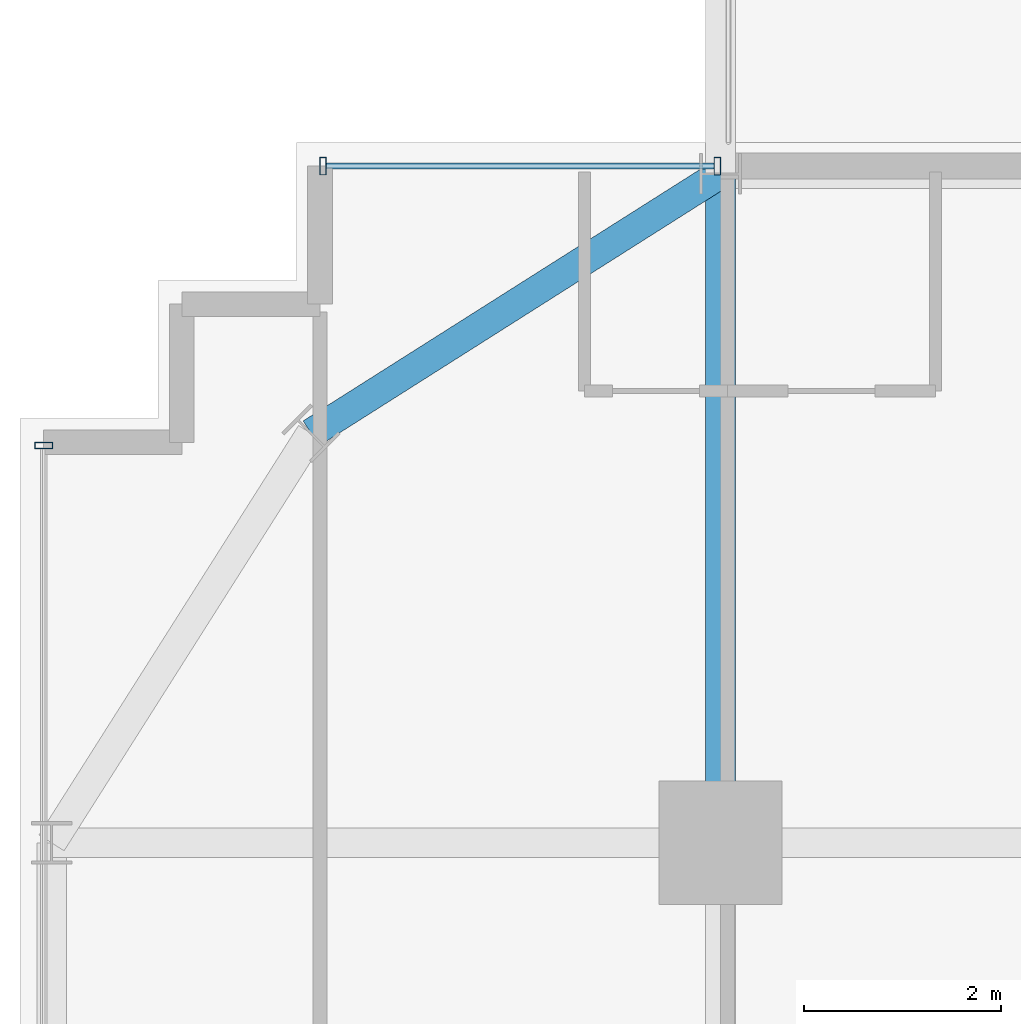
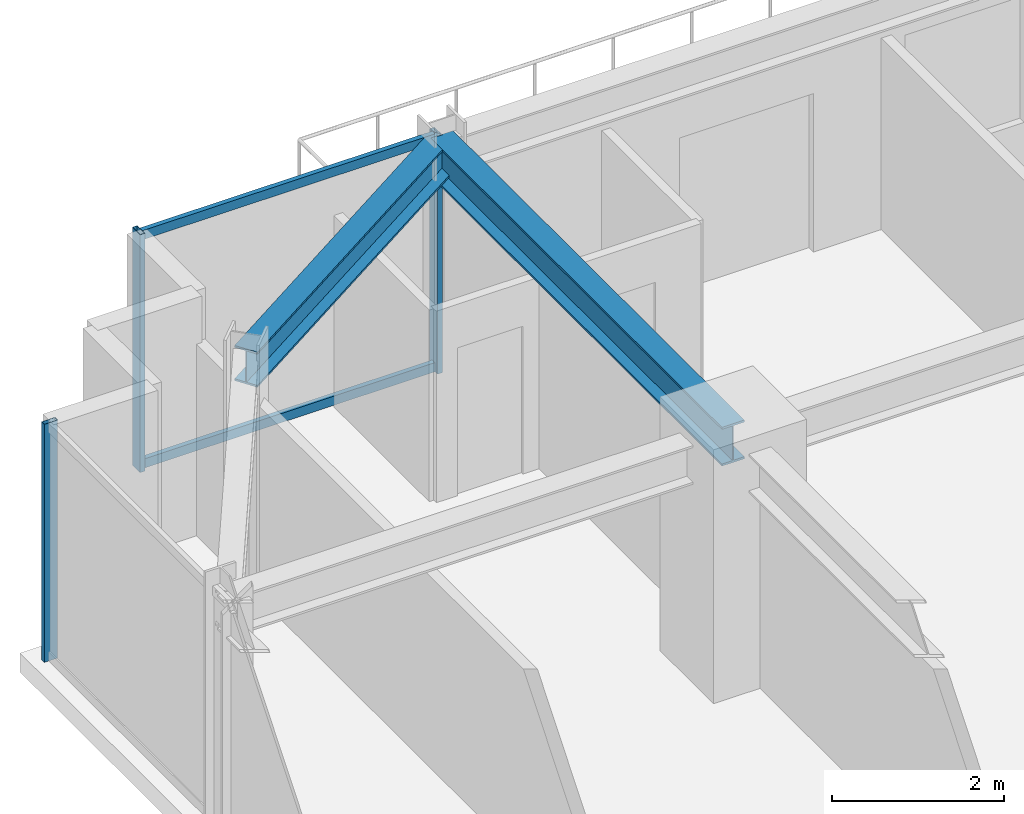
# One storey, part 18 of 34: 5 members, 2 beams, 2 elements without a shape of their own.
"""IFC4 building model written with IfcOpenShell, lengths in metres."""

from ifc_helpers import new_model, si_unit, direction, frame, origin, origin_2d, place, context, subcontext, project, spatial, hollow_rectangle, i_section, extrude, source, transform, mapped, material, material_profile, profile_set, type_object, element, aggregate, save


model = new_model("IFC4")

# Units and contexts
model_context = context("Model", 3, precision=1e-05, world=origin(), true_north=direction((0.0, 1.0)))
body_context = subcontext(model_context, "Body", "Model", "MODEL_VIEW")
ifc_project = project(units=[si_unit("LENGTHUNIT", "METRE"), si_unit("AREAUNIT", "SQUARE_METRE"), si_unit("VOLUMEUNIT", "CUBIC_METRE"), si_unit("PLANEANGLEUNIT", "RADIAN"), si_unit("MASSUNIT", "GRAM", prefix="KILO")], contexts=[model_context])

# Site, building, storey
site_placement = place(None, origin())
site = spatial("IfcSite", under=ifc_project, at=site_placement, CompositionType="ELEMENT")
building_placement = place(site_placement, origin())
building = spatial("IfcBuilding", under=site, at=building_placement, Name="Nahalor Promenade Grand Hotel", CompositionType="ELEMENT")
storey_placement = place(building_placement, frame((0.0, 0.0, 99.25)))
storey = spatial("IfcBuildingStorey", under=building, at=storey_placement, Name="L24", CompositionType="ELEMENT", Elevation=99.25)

# Beams
ifc_material_1 = material(Name="Steel S355JR", Category="steel")
ifc_material_profile_1 = material_profile(ifc_material_1, i_section(OverallWidth=0.3, OverallDepth=0.5, WebThickness=0.0145, FlangeThickness=0.028, at=origin_2d()), Name="HEB 500")
ifc_profile_set_1 = profile_set([ifc_material_profile_1], Name="Steel S355JR")
beam_type_1 = type_object("IfcBeamType", Name="Beam-Spandrel-HEB500", PredefinedType="SPANDREL", material=ifc_profile_set_1)
shared_shape_1 = source(origin(), body_context, "Body", "SweptSolid", [
    extrude(i_section(OverallWidth=0.3, OverallDepth=0.5, WebThickness=0.0145, FlangeThickness=0.028, at=origin_2d()), origin(), (0.0, 0.0, 1.0), 4.9130859375),
])
beam_1_placement = place(storey_placement, frame((-17.0, 23.780029296875, 3.1298828125), z_axis=(-0.844648325505, -0.535321591403, 0.0), x_axis=(0.535321591403, -0.844648325505, 0.0)))
element("IfcBeam", 1, at=beam_1_placement, inside=storey, type_object=beam_type_1, Name="BM-L24-SPC-NW-1", PredefinedType="SPANDREL", context=body_context, shape_type="MappedRepresentation", body=[
    mapped(shared_shape_1, transform((0.0, 0.0, 0.0), scale=1.0)),
])
ifc_material_profile_2 = material_profile(ifc_material_1, i_section(OverallWidth=0.3, OverallDepth=0.55, WebThickness=0.015, FlangeThickness=0.029, at=origin_2d()), Name="HEB 550")
ifc_profile_set_2 = profile_set([ifc_material_profile_2], Name="Steel S355JR")
beam_type_2 = type_object("IfcBeamType", Name="Beam-Girder-HEB550", PredefinedType="BEAM", material=ifc_profile_set_2)
shared_shape_2 = source(origin(), body_context, "Body", "SweptSolid", [
    extrude(i_section(OverallWidth=0.3, OverallDepth=0.55, WebThickness=0.015, FlangeThickness=0.029, at=origin_2d()), origin(), (0.0, 0.0, 1.0), 6.780029296875),
])
beam_2_placement = place(storey_placement, frame((-17.0, 17.0, 3.10498046875), z_axis=(0.0, 1.0, 0.0), x_axis=(-1.0, 0.0, 0.0)))
element("IfcBeam", 2, at=beam_2_placement, inside=storey, type_object=beam_type_2, Name="BM-L24-GY-0-4", PredefinedType="BEAM", context=body_context, shape_type="MappedRepresentation", body=[
    mapped(shared_shape_2, transform((0.0, 0.0, 0.0), scale=1.0)),
])

# Curtain wall, members
ifc_material_2 = material(Name="Anodised Bronze Aluminium EN AW-6063 T6", Category="aluminium")
curtain_wall_type = type_object("IfcCurtainWallType", Name="CW2 Typical Hotel Flush Bronze Unitised Curtain Wall", PredefinedType="USERDEFINED", material=ifc_material_2)
curtain_wall_1_placement = place(storey_placement, origin())
curtain_wall_1 = element("IfcCurtainWall", 3, at=curtain_wall_1_placement, inside=storey, type_object=curtain_wall_type, Name="L24 Curtain Wall CW-L24-N-1", ObjectType="UNITISED_CURTAIN_WALL", PredefinedType="USERDEFINED")
ifc_material_profile_3 = material_profile(ifc_material_2, hollow_rectangle(XDim=0.065, YDim=0.18, WallThickness=0.004, at=origin_2d()), Name="CWM 65x180x4")
ifc_profile_set_3 = profile_set([ifc_material_profile_3], Name="Anodised Bronze Aluminium EN AW-6063 T6")
member_type_1 = type_object("IfcMemberType", Name="CWM2 Typical Bronze Mullion 65x180", PredefinedType="MULLION", material=ifc_profile_set_3)
shared_shape_3 = source(origin(), body_context, "Body", "SweptSolid", [
    extrude(hollow_rectangle(XDim=0.065, YDim=0.18, WallThickness=0.004, at=origin_2d()), origin(), (0.0, 0.0, 1.0), 3.3798828125),
])
member_1_placement = place(storey_placement, frame((-21.027587890625, 23.860107421875, 0.0), z_axis=(0.0, 0.0, 1.0), x_axis=(1.0, 0.0, 0.0)))
member_1 = element("IfcMember", 4, at=member_1_placement, type_object=member_type_1, Name="CW-L24-N-1 Mullion 0", PredefinedType="MULLION", context=body_context, shape_type="MappedRepresentation", body=[
    mapped(shared_shape_3, transform((0.0, 0.0, 0.0), scale=1.0)),
])
member_2_placement = place(storey_placement, frame((-17.032470703125, 23.860107421875, 0.0), z_axis=(0.0, 0.0, 1.0), x_axis=(1.0, 0.0, 0.0)))
member_2 = element("IfcMember", 5, at=member_2_placement, type_object=member_type_1, Name="CW-L24-N-1 Mullion 1", PredefinedType="MULLION", context=body_context, shape_type="MappedRepresentation", body=[
    mapped(shared_shape_3, transform((0.0, 0.0, 0.0), scale=1.0)),
])

# Curtain wall, member
curtain_wall_2_placement = place(storey_placement, origin())
curtain_wall_2 = element("IfcCurtainWall", 6, at=curtain_wall_2_placement, inside=storey, type_object=curtain_wall_type, Name="L24 Curtain Wall CW-L24-W-1", ObjectType="UNITISED_CURTAIN_WALL", PredefinedType="USERDEFINED")
member_3_placement = place(storey_placement, frame((-23.860107421875, 21.027587890625, 0.0), z_axis=(0.0, 0.0, 1.0), x_axis=(0.0, 1.0, 0.0)))
member_3 = element("IfcMember", 7, at=member_3_placement, type_object=member_type_1, Name="CW-L24-W-1 Mullion 4", PredefinedType="MULLION", context=body_context, shape_type="MappedRepresentation", body=[
    mapped(shared_shape_3, transform((0.0, 0.0, 0.0), scale=1.0)),
])
aggregate(curtain_wall_2, [member_3])

# Member
ifc_material_profile_4 = material_profile(ifc_material_2, hollow_rectangle(XDim=0.065, YDim=0.13, WallThickness=0.004, at=origin_2d()), Name="CWT 65x130x4")
ifc_profile_set_4 = profile_set([ifc_material_profile_4], Name="Anodised Bronze Aluminium EN AW-6063 T6")
member_type_2 = type_object("IfcMemberType", Name="CWT2 Typical Bronze Transom 65x130", PredefinedType="USERDEFINED", material=ifc_profile_set_4)
shared_shape_4 = source(origin(), body_context, "Body", "SweptSolid", [
    extrude(hollow_rectangle(XDim=0.065, YDim=0.13, WallThickness=0.004, at=origin_2d()), origin(), (0.0, 0.0, 1.0), 3.93017578125),
])
member_4_placement = place(storey_placement, frame((-20.9951171875, 23.860107421875, 0.06494140625), z_axis=(1.0, 0.0, 0.0), x_axis=(0.0, 1.0, 0.0)))
member_4 = element("IfcMember", 8, at=member_4_placement, type_object=member_type_2, Name="CW-L24-N-1 Transom 0-0", ObjectType="TRANSOM", PredefinedType="USERDEFINED", context=body_context, shape_type="MappedRepresentation", body=[
    mapped(shared_shape_4, transform((0.0, 0.0, 0.0), scale=1.0)),
])

member_5_placement = place(storey_placement, frame((-20.9951171875, 23.860107421875, 3.31494140625), z_axis=(1.0, 0.0, 0.0), x_axis=(0.0, 1.0, 0.0)))
member_5 = element("IfcMember", 9, at=member_5_placement, type_object=member_type_2, Name="CW-L24-N-1 Transom 0-1", ObjectType="TRANSOM", PredefinedType="USERDEFINED", context=body_context, shape_type="MappedRepresentation", body=[
    mapped(shared_shape_4, transform((0.0, 0.0, 0.0), scale=1.0)),
])

aggregate(curtain_wall_1, [member_1, member_2, member_4, member_5])

save(model, "model.ifc")
